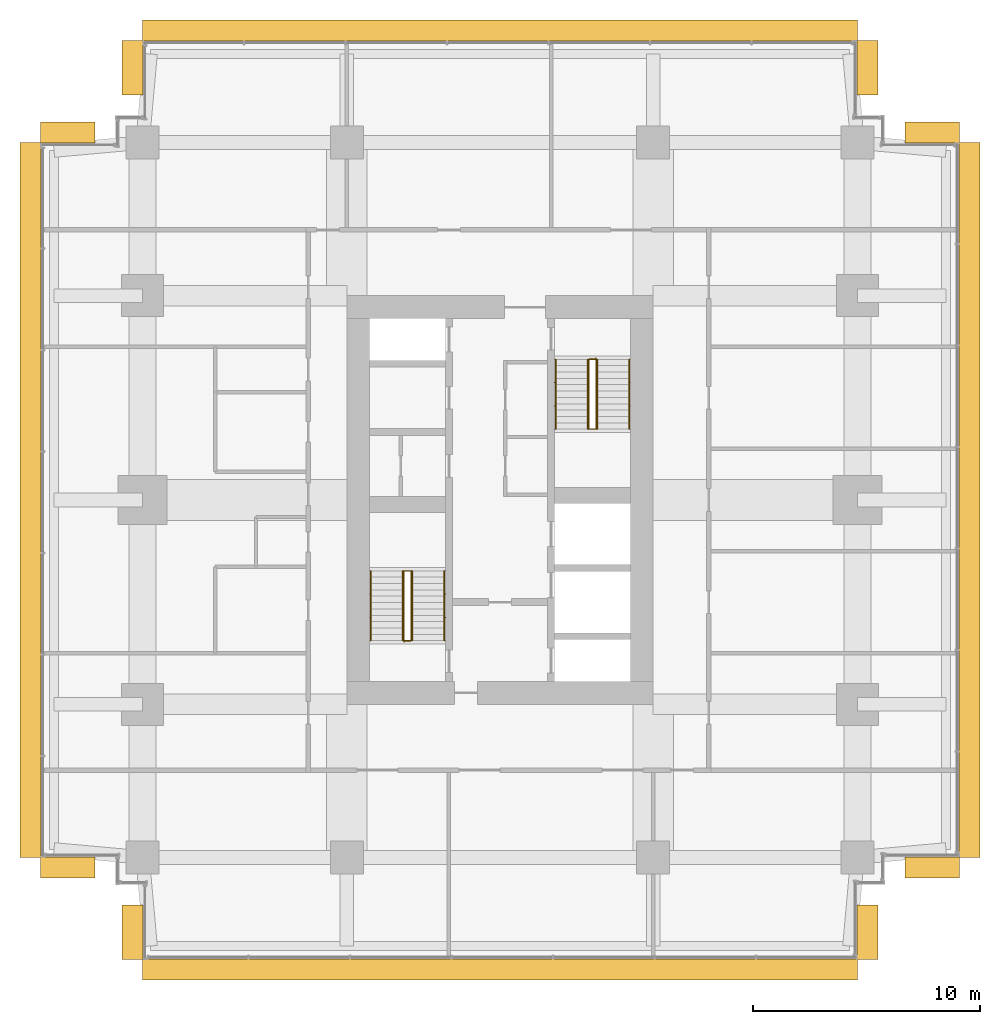
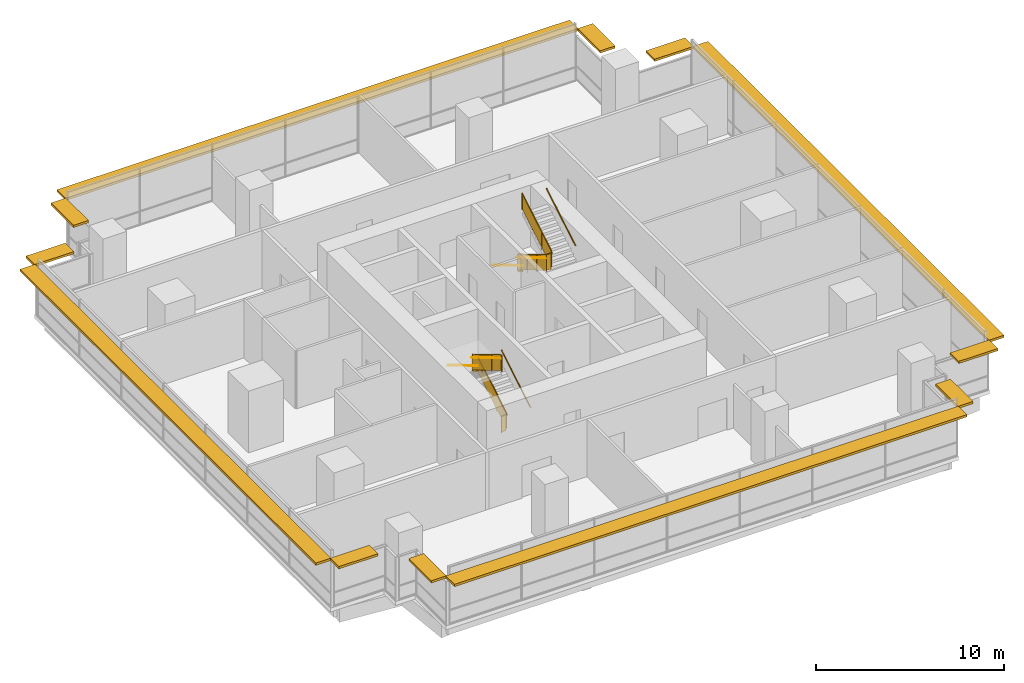
# One storey, part 14 of 14: 12 shading devices, 10 railings.
"""IFC4 building model written with IfcOpenShell, lengths in metres."""

from ifc_helpers import new_model, si_unit, direction, frame, origin, origin_2d, place, context, subcontext, project, spatial, polyline, rectangle, circle, outline, extrude, material, layer, layer_set, type_object, element, save


model = new_model("IFC4")

# Units and contexts
model_context = context("Model", 3, precision=1e-05, world=origin(), true_north=direction((0.0, 1.0)))
body_context = subcontext(model_context, "Body", "Model", "MODEL_VIEW")
ifc_project = project(units=[si_unit("LENGTHUNIT", "METRE"), si_unit("AREAUNIT", "SQUARE_METRE"), si_unit("VOLUMEUNIT", "CUBIC_METRE"), si_unit("PLANEANGLEUNIT", "RADIAN"), si_unit("MASSUNIT", "GRAM", prefix="KILO")], contexts=[model_context])

# Site, building, storey
site_placement = place(None, origin())
site = spatial("IfcSite", under=ifc_project, at=site_placement, CompositionType="ELEMENT")
building_placement = place(site_placement, origin())
building = spatial("IfcBuilding", under=site, at=building_placement, Name="Namib Vertical Campus", CompositionType="ELEMENT")
storey_placement = place(building_placement, frame((0.0, 0.0, 269.0)))
storey = spatial("IfcBuildingStorey", under=building, at=storey_placement, Name="L63", CompositionType="ELEMENT", Elevation=269.0)

# Railings
ifc_material_1 = material(Name="Steel handrail", Category="steel")
railing_type_1 = type_object("IfcRailingType", Name="Handrail 900", PredefinedType="HANDRAIL", material=ifc_material_1)
railing_1_placement = place(storey_placement, frame((17.800048828125, 14.050048828125, 0.166748046875)))
element("IfcRailing", 1, at=railing_1_placement, inside=storey, type_object=railing_type_1, Name="Handrail HR1 A-S1 L63 1", PredefinedType="HANDRAIL", context=body_context, shape_type="SweptSolid", body=[
    extrude(circle(Radius=0.02392578125, at=origin_2d()), frame((0.0, 0.0, 0.8759765625), z_axis=(0.0, 0.859290745958, 0.51148745235), x_axis=(-1.0, 0.0, 0.0)), (0.0, 0.0, 1.0), 3.584228515625),
    extrude(circle(Radius=0.008056640625, at=origin_2d()), frame((0.0, 0.0, 0.8759765625), z_axis=(1.0, 0.0, 0.0), x_axis=(0.0, 0.0, 1.0)), (0.0, 0.0, 1.0), 0.050048828125),
    extrude(circle(Radius=0.008056640625, at=origin_2d()), frame((0.0, 1.026611328125, 1.48681640625), z_axis=(1.0, 0.0, 0.0), x_axis=(0.0, 0.0, 1.0)), (0.0, 0.0, 1.0), 0.050048828125),
    extrude(circle(Radius=0.008056640625, at=origin_2d()), frame((0.0, 2.05322265625, 2.09814453125), z_axis=(1.0, 0.0, 0.0), x_axis=(0.0, 0.0, 1.0)), (0.0, 0.0, 1.0), 0.050048828125),
    extrude(circle(Radius=0.008056640625, at=origin_2d()), frame((0.0, 3.079833984375, 2.708984375), z_axis=(1.0, 0.0, 0.0), x_axis=(0.0, 0.0, 1.0)), (0.0, 0.0, 1.0), 0.050048828125),
])
railing_2_placement = place(storey_placement, frame((14.550048828125, 17.1298828125, 2.166748046875)))
element("IfcRailing", 2, at=railing_2_placement, inside=storey, type_object=railing_type_1, Name="Handrail HR1 A-S1 L63 2", PredefinedType="HANDRAIL", context=body_context, shape_type="SweptSolid", body=[
    extrude(circle(Radius=0.02392578125, at=origin_2d()), frame((0.0, 0.0, 0.8759765625), z_axis=(0.0, -0.859290745958, 0.51148745235), x_axis=(1.0, 0.0, 0.0)), (0.0, 0.0, 1.0), 3.584228515625),
    extrude(circle(Radius=0.008056640625, at=origin_2d()), frame((0.0, 0.0, 0.8759765625), z_axis=(-1.0, 0.0, 0.0), x_axis=(0.0, 0.0, 1.0)), (0.0, 0.0, 1.0), 0.050048828125),
    extrude(circle(Radius=0.008056640625, at=origin_2d()), frame((0.0, -1.026611328125, 1.48681640625), z_axis=(-1.0, 0.0, 0.0), x_axis=(0.0, 0.0, 1.0)), (0.0, 0.0, 1.0), 0.050048828125),
    extrude(circle(Radius=0.008056640625, at=origin_2d()), frame((0.0, -2.05322265625, 2.09814453125), z_axis=(-1.0, 0.0, 0.0), x_axis=(0.0, 0.0, 1.0)), (0.0, 0.0, 1.0), 0.050048828125),
    extrude(circle(Radius=0.008056640625, at=origin_2d()), frame((0.0, -3.079833984375, 2.708984375), z_axis=(-1.0, 0.0, 0.0), x_axis=(0.0, 0.0, 1.0)), (0.0, 0.0, 1.0), 0.050048828125),
])
railing_3_placement = place(storey_placement, frame((16.375, 14.050048828125, 0.166748046875)))
element("IfcRailing", 3, at=railing_3_placement, inside=storey, type_object=railing_type_1, Name="Handrail HR1 A-S1 L63 1 at the well", PredefinedType="HANDRAIL", context=body_context, shape_type="SweptSolid", body=[
    extrude(circle(Radius=0.02392578125, at=origin_2d()), frame((0.0, 0.0, 0.8759765625), z_axis=(0.0, 0.859290745958, 0.51148745235), x_axis=(-1.0, 0.0, 0.0)), (0.0, 0.0, 1.0), 3.584228515625),
    extrude(circle(Radius=0.008056640625, at=origin_2d()), frame((0.0, 0.0, 0.8759765625), z_axis=(-1.0, 0.0, 0.0), x_axis=(0.0, 0.0, 1.0)), (0.0, 0.0, 1.0), 0.0400390625),
    extrude(circle(Radius=0.008056640625, at=origin_2d()), frame((0.0, 1.026611328125, 1.48681640625), z_axis=(-1.0, 0.0, 0.0), x_axis=(0.0, 0.0, 1.0)), (0.0, 0.0, 1.0), 0.0400390625),
    extrude(circle(Radius=0.008056640625, at=origin_2d()), frame((0.0, 2.05322265625, 2.09814453125), z_axis=(-1.0, 0.0, 0.0), x_axis=(0.0, 0.0, 1.0)), (0.0, 0.0, 1.0), 0.0400390625),
    extrude(circle(Radius=0.008056640625, at=origin_2d()), frame((0.0, 3.079833984375, 2.708984375), z_axis=(-1.0, 0.0, 0.0), x_axis=(0.0, 0.0, 1.0)), (0.0, 0.0, 1.0), 0.0400390625),
])
railing_4_placement = place(storey_placement, frame((15.97509765625, 17.1298828125, 2.166748046875)))
element("IfcRailing", 4, at=railing_4_placement, inside=storey, type_object=railing_type_1, Name="Handrail HR1 A-S1 L63 2 at the well", PredefinedType="HANDRAIL", context=body_context, shape_type="SweptSolid", body=[
    extrude(circle(Radius=0.02392578125, at=origin_2d()), frame((0.0, 0.0, 0.8759765625), z_axis=(0.0, -0.859290745958, 0.51148745235), x_axis=(1.0, 0.0, 0.0)), (0.0, 0.0, 1.0), 3.584228515625),
    extrude(circle(Radius=0.008056640625, at=origin_2d()), frame((0.0, 0.0, 0.8759765625), z_axis=(1.0, 0.0, 0.0), x_axis=(0.0, 0.0, 1.0)), (0.0, 0.0, 1.0), 0.0400390625),
    extrude(circle(Radius=0.008056640625, at=origin_2d()), frame((0.0, -1.026611328125, 1.48681640625), z_axis=(1.0, 0.0, 0.0), x_axis=(0.0, 0.0, 1.0)), (0.0, 0.0, 1.0), 0.0400390625),
    extrude(circle(Radius=0.008056640625, at=origin_2d()), frame((0.0, -2.05322265625, 2.09814453125), z_axis=(1.0, 0.0, 0.0), x_axis=(0.0, 0.0, 1.0)), (0.0, 0.0, 1.0), 0.0400390625),
    extrude(circle(Radius=0.008056640625, at=origin_2d()), frame((0.0, -3.079833984375, 2.708984375), z_axis=(1.0, 0.0, 0.0), x_axis=(0.0, 0.0, 1.0)), (0.0, 0.0, 1.0), 0.0400390625),
])
railing_5_placement = place(storey_placement, frame((22.699951171875, 26.449951171875, 0.166748046875)))
element("IfcRailing", 5, at=railing_5_placement, inside=storey, type_object=railing_type_1, Name="Handrail HR1 A-S2 L63 1", PredefinedType="HANDRAIL", context=body_context, shape_type="SweptSolid", body=[
    extrude(circle(Radius=0.02392578125, at=origin_2d()), frame((0.0, 0.0, 0.8759765625), z_axis=(0.0, -0.859290745958, 0.51148745235), x_axis=(1.0, 0.0, 0.0)), (0.0, 0.0, 1.0), 3.584228515625),
    extrude(circle(Radius=0.008056640625, at=origin_2d()), frame((0.0, 0.0, 0.8759765625), z_axis=(-1.0, 0.0, 0.0), x_axis=(0.0, 0.0, 1.0)), (0.0, 0.0, 1.0), 0.050048828125),
    extrude(circle(Radius=0.008056640625, at=origin_2d()), frame((0.0, -1.026611328125, 1.48681640625), z_axis=(-1.0, 0.0, 0.0), x_axis=(0.0, 0.0, 1.0)), (0.0, 0.0, 1.0), 0.050048828125),
    extrude(circle(Radius=0.008056640625, at=origin_2d()), frame((0.0, -2.05322265625, 2.09814453125), z_axis=(-1.0, 0.0, 0.0), x_axis=(0.0, 0.0, 1.0)), (0.0, 0.0, 1.0), 0.050048828125),
    extrude(circle(Radius=0.008056640625, at=origin_2d()), frame((0.0, -3.079833984375, 2.708984375), z_axis=(-1.0, 0.0, 0.0), x_axis=(0.0, 0.0, 1.0)), (0.0, 0.0, 1.0), 0.050048828125),
])
railing_6_placement = place(storey_placement, frame((25.949951171875, 23.3701171875, 2.166748046875)))
element("IfcRailing", 6, at=railing_6_placement, inside=storey, type_object=railing_type_1, Name="Handrail HR1 A-S2 L63 2", PredefinedType="HANDRAIL", context=body_context, shape_type="SweptSolid", body=[
    extrude(circle(Radius=0.02392578125, at=origin_2d()), frame((0.0, 0.0, 0.8759765625), z_axis=(0.0, 0.859290745958, 0.51148745235), x_axis=(-1.0, 0.0, 0.0)), (0.0, 0.0, 1.0), 3.584228515625),
    extrude(circle(Radius=0.008056640625, at=origin_2d()), frame((0.0, 0.0, 0.8759765625), z_axis=(1.0, 0.0, 0.0), x_axis=(0.0, 0.0, 1.0)), (0.0, 0.0, 1.0), 0.050048828125),
    extrude(circle(Radius=0.008056640625, at=origin_2d()), frame((0.0, 1.026611328125, 1.48681640625), z_axis=(1.0, 0.0, 0.0), x_axis=(0.0, 0.0, 1.0)), (0.0, 0.0, 1.0), 0.050048828125),
    extrude(circle(Radius=0.008056640625, at=origin_2d()), frame((0.0, 2.05322265625, 2.09814453125), z_axis=(1.0, 0.0, 0.0), x_axis=(0.0, 0.0, 1.0)), (0.0, 0.0, 1.0), 0.050048828125),
    extrude(circle(Radius=0.008056640625, at=origin_2d()), frame((0.0, 3.079833984375, 2.708984375), z_axis=(1.0, 0.0, 0.0), x_axis=(0.0, 0.0, 1.0)), (0.0, 0.0, 1.0), 0.050048828125),
])
railing_7_placement = place(storey_placement, frame((24.125, 26.449951171875, 0.166748046875)))
element("IfcRailing", 7, at=railing_7_placement, inside=storey, type_object=railing_type_1, Name="Handrail HR1 A-S2 L63 1 at the well", PredefinedType="HANDRAIL", context=body_context, shape_type="SweptSolid", body=[
    extrude(circle(Radius=0.02392578125, at=origin_2d()), frame((0.0, 0.0, 0.8759765625), z_axis=(0.0, -0.859290745958, 0.51148745235), x_axis=(1.0, 0.0, 0.0)), (0.0, 0.0, 1.0), 3.584228515625),
    extrude(circle(Radius=0.008056640625, at=origin_2d()), frame((0.0, 0.0, 0.8759765625), z_axis=(1.0, 0.0, 0.0), x_axis=(0.0, 0.0, 1.0)), (0.0, 0.0, 1.0), 0.0400390625),
    extrude(circle(Radius=0.008056640625, at=origin_2d()), frame((0.0, -1.026611328125, 1.48681640625), z_axis=(1.0, 0.0, 0.0), x_axis=(0.0, 0.0, 1.0)), (0.0, 0.0, 1.0), 0.0400390625),
    extrude(circle(Radius=0.008056640625, at=origin_2d()), frame((0.0, -2.05322265625, 2.09814453125), z_axis=(1.0, 0.0, 0.0), x_axis=(0.0, 0.0, 1.0)), (0.0, 0.0, 1.0), 0.0400390625),
    extrude(circle(Radius=0.008056640625, at=origin_2d()), frame((0.0, -3.079833984375, 2.708984375), z_axis=(1.0, 0.0, 0.0), x_axis=(0.0, 0.0, 1.0)), (0.0, 0.0, 1.0), 0.0400390625),
])
railing_8_placement = place(storey_placement, frame((24.52490234375, 23.3701171875, 2.166748046875)))
element("IfcRailing", 8, at=railing_8_placement, inside=storey, type_object=railing_type_1, Name="Handrail HR1 A-S2 L63 2 at the well", PredefinedType="HANDRAIL", context=body_context, shape_type="SweptSolid", body=[
    extrude(circle(Radius=0.02392578125, at=origin_2d()), frame((0.0, 0.0, 0.8759765625), z_axis=(0.0, 0.859290745958, 0.51148745235), x_axis=(-1.0, 0.0, 0.0)), (0.0, 0.0, 1.0), 3.584228515625),
    extrude(circle(Radius=0.008056640625, at=origin_2d()), frame((0.0, 0.0, 0.8759765625), z_axis=(-1.0, 0.0, 0.0), x_axis=(0.0, 0.0, 1.0)), (0.0, 0.0, 1.0), 0.0400390625),
    extrude(circle(Radius=0.008056640625, at=origin_2d()), frame((0.0, 1.026611328125, 1.48681640625), z_axis=(-1.0, 0.0, 0.0), x_axis=(0.0, 0.0, 1.0)), (0.0, 0.0, 1.0), 0.0400390625),
    extrude(circle(Radius=0.008056640625, at=origin_2d()), frame((0.0, 2.05322265625, 2.09814453125), z_axis=(-1.0, 0.0, 0.0), x_axis=(0.0, 0.0, 1.0)), (0.0, 0.0, 1.0), 0.0400390625),
    extrude(circle(Radius=0.008056640625, at=origin_2d()), frame((0.0, 3.079833984375, 2.708984375), z_axis=(-1.0, 0.0, 0.0), x_axis=(0.0, 0.0, 1.0)), (0.0, 0.0, 1.0), 0.0400390625),
])
ifc_material_2 = material(Name="Steel balustrade", Category="steel")
railing_type_2 = type_object("IfcRailingType", Name="Stair guard 1100", PredefinedType="GUARDRAIL", material=ifc_material_2)
railing_9_placement = place(storey_placement, frame((16.02490234375, 14.050048828125, 0.0)))
element("IfcRailing", 9, at=railing_9_placement, inside=storey, type_object=railing_type_2, Name="Stair guard GR1 A-S1 L63", PredefinedType="GUARDRAIL", context=body_context, shape_type="SweptSolid", body=[
    extrude(circle(Radius=0.02392578125, at=origin_2d()), frame((0.0, 0.0, 1.076171875), z_axis=(1.0, 0.0, 0.0), x_axis=(0.0, 1.0, 0.0)), (0.0, 0.0, 1.0), 0.300048828125),
    extrude(outline(polyline([(0.02099609375, 0.050048828125), (0.279052734375, 0.050048828125), (0.279052734375, 1.052001953125), (0.02099609375, 1.052001953125), (0.02099609375, 0.050048828125)])), frame((0.0, 0.010009765625, 0.0), z_axis=(0.0, -1.0, 0.0), x_axis=(1.0, 0.0, 0.0)), (0.0, 0.0, 1.0), 0.02001953125),
    extrude(circle(Radius=0.02392578125, at=origin_2d()), frame((0.300048828125, 0.0, 1.076171875), z_axis=(0.0, 0.0, 1.0), x_axis=(1.0, 0.0, 0.0)), (0.0, 0.0, 1.0), 0.166748046875),
    extrude(circle(Radius=0.02392578125, at=origin_2d()), frame((0.300048828125, 0.0, 1.24267578125), z_axis=(0.0, 0.859290745958, 0.51148745235), x_axis=(-1.0, 0.0, 0.0)), (0.0, 0.0, 1.0), 3.584228515625),
    extrude(outline(polyline([(0.02099609375, 0.0625), (3.058837890625, 1.870849609375), (3.058837890625, 2.872802734375), (0.02099609375, 1.064453125), (0.02099609375, 0.0625)])), frame((0.2900390625, 0.0, 0.166748046875), z_axis=(1.0, 0.0, 0.0), x_axis=(0.0, 1.0, 0.0)), (0.0, 0.0, 1.0), 0.02001953125),
    extrude(circle(Radius=0.02392578125, at=origin_2d()), frame((0.300048828125, 3.079833984375, 3.076171875), z_axis=(-1.0, 0.0, 0.0), x_axis=(0.0, -1.0, 0.0)), (0.0, 0.0, 1.0), 0.300048828125),
    extrude(outline(polyline([(0.02099609375, 0.050048828125), (0.279052734375, 0.050048828125), (0.279052734375, 1.052001953125), (0.02099609375, 1.052001953125), (0.02099609375, 0.050048828125)])), frame((0.300048828125, 3.06982421875, 2.0), z_axis=(0.0, 1.0, 0.0), x_axis=(-1.0, 0.0, 0.0)), (0.0, 0.0, 1.0), 0.02001953125),
    extrude(circle(Radius=0.02392578125, at=origin_2d()), frame((0.0, 3.079833984375, 3.076171875), z_axis=(0.0, 0.0, 1.0), x_axis=(1.0, 0.0, 0.0)), (0.0, 0.0, 1.0), 0.166748046875),
    extrude(circle(Radius=0.02392578125, at=origin_2d()), frame((0.0, 3.079833984375, 3.24267578125), z_axis=(0.0, -0.859290745958, 0.51148745235), x_axis=(1.0, 0.0, 0.0)), (0.0, 0.0, 1.0), 3.584228515625),
    extrude(outline(polyline([(0.02099609375, 0.0625), (3.058837890625, 1.870849609375), (3.058837890625, 2.872802734375), (0.02099609375, 1.064453125), (0.02099609375, 0.0625)])), frame((0.010009765625, 3.079833984375, 2.166748046875), z_axis=(-1.0, 0.0, 0.0), x_axis=(0.0, -1.0, 0.0)), (0.0, 0.0, 1.0), 0.02001953125),
    extrude(circle(Radius=0.02392578125, at=origin_2d()), frame((0.0, 0.0, 5.076171875), z_axis=(0.0, -1.0, 0.0), x_axis=(1.0, 0.0, 0.0)), (0.0, 0.0, 1.0), 0.050048828125),
    extrude(outline(polyline([(0.02099609375, 0.050048828125), (0.029052734375, 0.050048828125), (0.029052734375, 1.052001953125), (0.02099609375, 1.052001953125), (0.02099609375, 0.050048828125)])), frame((0.010009765625, 0.0, 4.0), z_axis=(-1.0, 0.0, 0.0), x_axis=(0.0, -1.0, 0.0)), (0.0, 0.0, 1.0), 0.02001953125),
    extrude(circle(Radius=0.02099609375, at=origin_2d()), origin(), (0.0, 0.0, 1.0), 1.052001953125),
    extrude(circle(Radius=0.02099609375, at=origin_2d()), frame((0.300048828125, 0.0, 0.166748046875)), (0.0, 0.0, 1.0), 1.052001953125),
    extrude(circle(Radius=0.02099609375, at=origin_2d()), frame((0.300048828125, 1.026611328125, 0.666748046875)), (0.0, 0.0, 1.0), 1.1630859375),
    extrude(circle(Radius=0.02099609375, at=origin_2d()), frame((0.300048828125, 2.05322265625, 1.33349609375)), (0.0, 0.0, 1.0), 1.107421875),
    extrude(circle(Radius=0.02099609375, at=origin_2d()), frame((0.300048828125, 3.079833984375, 2.0)), (0.0, 0.0, 1.0), 1.052001953125),
    extrude(circle(Radius=0.02099609375, at=origin_2d()), frame((0.0, 3.079833984375, 2.166748046875)), (0.0, 0.0, 1.0), 1.052001953125),
    extrude(circle(Radius=0.02099609375, at=origin_2d()), frame((0.0, 2.05322265625, 2.666748046875)), (0.0, 0.0, 1.0), 1.1630859375),
    extrude(circle(Radius=0.02099609375, at=origin_2d()), frame((0.0, 1.026611328125, 3.33349609375)), (0.0, 0.0, 1.0), 1.107421875),
    extrude(circle(Radius=0.02099609375, at=origin_2d()), frame((0.0, 0.0, 4.0)), (0.0, 0.0, 1.0), 1.052001953125),
    extrude(circle(Radius=0.02099609375, at=origin_2d()), frame((0.0, -0.050048828125, 4.0)), (0.0, 0.0, 1.0), 1.052001953125),
])
railing_10_placement = place(storey_placement, frame((24.47509765625, 26.449951171875, 0.0)))
element("IfcRailing", 10, at=railing_10_placement, inside=storey, type_object=railing_type_2, Name="Stair guard GR1 A-S2 L63", PredefinedType="GUARDRAIL", context=body_context, shape_type="SweptSolid", body=[
    extrude(circle(Radius=0.02392578125, at=origin_2d()), frame((0.0, 0.0, 1.076171875), z_axis=(-1.0, 0.0, 0.0), x_axis=(0.0, -1.0, 0.0)), (0.0, 0.0, 1.0), 0.300048828125),
    extrude(outline(polyline([(0.02099609375, 0.050048828125), (0.279052734375, 0.050048828125), (0.279052734375, 1.052001953125), (0.02099609375, 1.052001953125), (0.02099609375, 0.050048828125)])), frame((0.0, -0.010009765625, 0.0), z_axis=(0.0, 1.0, 0.0), x_axis=(-1.0, 0.0, 0.0)), (0.0, 0.0, 1.0), 0.02001953125),
    extrude(circle(Radius=0.02392578125, at=origin_2d()), frame((-0.300048828125, 0.0, 1.076171875), z_axis=(0.0, 0.0, 1.0), x_axis=(1.0, 0.0, 0.0)), (0.0, 0.0, 1.0), 0.166748046875),
    extrude(circle(Radius=0.02392578125, at=origin_2d()), frame((-0.300048828125, 0.0, 1.24267578125), z_axis=(0.0, -0.859290745958, 0.51148745235), x_axis=(1.0, 0.0, 0.0)), (0.0, 0.0, 1.0), 3.584228515625),
    extrude(outline(polyline([(0.02099609375, 0.0625), (3.058837890625, 1.870849609375), (3.058837890625, 2.872802734375), (0.02099609375, 1.064453125), (0.02099609375, 0.0625)])), frame((-0.2900390625, 0.0, 0.166748046875), z_axis=(-1.0, 0.0, 0.0), x_axis=(0.0, -1.0, 0.0)), (0.0, 0.0, 1.0), 0.02001953125),
    extrude(circle(Radius=0.02392578125, at=origin_2d()), frame((-0.300048828125, -3.079833984375, 3.076171875), z_axis=(1.0, 0.0, 0.0), x_axis=(0.0, 1.0, 0.0)), (0.0, 0.0, 1.0), 0.300048828125),
    extrude(outline(polyline([(0.02099609375, 0.050048828125), (0.279052734375, 0.050048828125), (0.279052734375, 1.052001953125), (0.02099609375, 1.052001953125), (0.02099609375, 0.050048828125)])), frame((-0.300048828125, -3.06982421875, 2.0), z_axis=(0.0, -1.0, 0.0), x_axis=(1.0, 0.0, 0.0)), (0.0, 0.0, 1.0), 0.02001953125),
    extrude(circle(Radius=0.02392578125, at=origin_2d()), frame((0.0, -3.079833984375, 3.076171875), z_axis=(0.0, 0.0, 1.0), x_axis=(1.0, 0.0, 0.0)), (0.0, 0.0, 1.0), 0.166748046875),
    extrude(circle(Radius=0.02392578125, at=origin_2d()), frame((0.0, -3.079833984375, 3.24267578125), z_axis=(0.0, 0.859290745958, 0.51148745235), x_axis=(-1.0, 0.0, 0.0)), (0.0, 0.0, 1.0), 3.584228515625),
    extrude(outline(polyline([(0.02099609375, 0.0625), (3.058837890625, 1.870849609375), (3.058837890625, 2.872802734375), (0.02099609375, 1.064453125), (0.02099609375, 0.0625)])), frame((-0.010009765625, -3.079833984375, 2.166748046875), z_axis=(1.0, 0.0, 0.0), x_axis=(0.0, 1.0, 0.0)), (0.0, 0.0, 1.0), 0.02001953125),
    extrude(circle(Radius=0.02392578125, at=origin_2d()), frame((0.0, 0.0, 5.076171875), z_axis=(0.0, 1.0, 0.0), x_axis=(-1.0, 0.0, 0.0)), (0.0, 0.0, 1.0), 0.050048828125),
    extrude(outline(polyline([(0.02099609375, 0.050048828125), (0.029052734375, 0.050048828125), (0.029052734375, 1.052001953125), (0.02099609375, 1.052001953125), (0.02099609375, 0.050048828125)])), frame((-0.010009765625, 0.0, 4.0), z_axis=(1.0, 0.0, 0.0), x_axis=(0.0, 1.0, 0.0)), (0.0, 0.0, 1.0), 0.02001953125),
    extrude(circle(Radius=0.02099609375, at=origin_2d()), origin(), (0.0, 0.0, 1.0), 1.052001953125),
    extrude(circle(Radius=0.02099609375, at=origin_2d()), frame((-0.300048828125, 0.0, 0.166748046875)), (0.0, 0.0, 1.0), 1.052001953125),
    extrude(circle(Radius=0.02099609375, at=origin_2d()), frame((-0.300048828125, -1.026611328125, 0.666748046875)), (0.0, 0.0, 1.0), 1.1630859375),
    extrude(circle(Radius=0.02099609375, at=origin_2d()), frame((-0.300048828125, -2.05322265625, 1.33349609375)), (0.0, 0.0, 1.0), 1.107421875),
    extrude(circle(Radius=0.02099609375, at=origin_2d()), frame((-0.300048828125, -3.079833984375, 2.0)), (0.0, 0.0, 1.0), 1.052001953125),
    extrude(circle(Radius=0.02099609375, at=origin_2d()), frame((0.0, -3.079833984375, 2.166748046875)), (0.0, 0.0, 1.0), 1.052001953125),
    extrude(circle(Radius=0.02099609375, at=origin_2d()), frame((0.0, -2.05322265625, 2.666748046875)), (0.0, 0.0, 1.0), 1.1630859375),
    extrude(circle(Radius=0.02099609375, at=origin_2d()), frame((0.0, -1.026611328125, 3.33349609375)), (0.0, 0.0, 1.0), 1.107421875),
    extrude(circle(Radius=0.02099609375, at=origin_2d()), frame((0.0, 0.0, 4.0)), (0.0, 0.0, 1.0), 1.052001953125),
    extrude(circle(Radius=0.02099609375, at=origin_2d()), frame((0.0, 0.050048828125, 4.0)), (0.0, 0.0, 1.0), 1.052001953125),
])

# Shading devices
ifc_material_3 = material(Name="Concrete C40/50 precast", Category="concrete")
ifc_layer = layer(ifc_material_3, 0.14990234375)
ifc_layer_set = layer_set([ifc_layer], Name="Concrete C40/50 precast")
shading_device_type = type_object("IfcShadingDeviceType", Name="Sunshade hood 900", PredefinedType="SHUTTER", material=ifc_layer_set)
shading_device_1_placement = place(storey_placement, frame((20.25, -0.43994140625, 3.10009765625), z_axis=(0.0, 0.0, 1.0), x_axis=(1.0, 0.0, 0.0)))
element("IfcShadingDevice", 11, at=shading_device_1_placement, inside=storey, type_object=shading_device_type, Name="Sunshade SH1 L63 1", PredefinedType="SHUTTER", context=body_context, shape_type="SweptSolid", body=[
    extrude(rectangle(XDim=31.5, YDim=0.919921875, at=origin_2d()), origin(), (0.0, 0.0, 1.0), 0.14990234375),
])
for number, where, z_axis, x_axis, name in (
    (12, (36.43994140625, 1.199951171875, 3.10009765625), (0.0, 0.0, 1.0), (0.0, 1.0, 0.0), "Sunshade SH1 L63 2"),
    (13, (39.300048828125, 4.06005859375, 3.10009765625), (0.0, 0.0, 1.0), (1.0, 0.0, 0.0), "Sunshade SH1 L63 5"),
):
    element("IfcShadingDevice", number, at=place(storey_placement, frame(where, z_axis=z_axis, x_axis=x_axis)), inside=storey, type_object=shading_device_type, Name=name, PredefinedType="SHUTTER", context=body_context, shape_type="SweptSolid", body=[
        extrude(rectangle(XDim=2.39990234375, YDim=0.919921875, at=origin_2d()), origin(), (0.0, 0.0, 1.0), 0.14990234375),
    ])
shading_device_2_placement = place(storey_placement, frame((40.93994140625, 20.25, 3.10009765625), z_axis=(0.0, 0.0, 1.0), x_axis=(0.0, 1.0, 0.0)))
element("IfcShadingDevice", 14, at=shading_device_2_placement, inside=storey, type_object=shading_device_type, Name="Sunshade SH1 L63 6", PredefinedType="SHUTTER", context=body_context, shape_type="SweptSolid", body=[
    extrude(rectangle(XDim=31.5, YDim=0.919921875, at=origin_2d()), origin(), (0.0, 0.0, 1.0), 0.14990234375),
])
for number, where, z_axis, x_axis, name in (
    (15, (39.300048828125, 36.43994140625, 3.10009765625), (0.0, 0.0, 1.0), (-1.0, 0.0, 0.0), "Sunshade SH1 L63 7"),
    (16, (36.43994140625, 39.300048828125, 3.10009765625), (0.0, 0.0, 1.0), (0.0, 1.0, 0.0), "Sunshade SH1 L63 10"),
):
    element("IfcShadingDevice", number, at=place(storey_placement, frame(where, z_axis=z_axis, x_axis=x_axis)), inside=storey, type_object=shading_device_type, Name=name, PredefinedType="SHUTTER", context=body_context, shape_type="SweptSolid", body=[
        extrude(rectangle(XDim=2.39990234375, YDim=0.919921875, at=origin_2d()), origin(), (0.0, 0.0, 1.0), 0.14990234375),
    ])
shading_device_3_placement = place(storey_placement, frame((20.25, 40.93994140625, 3.10009765625), z_axis=(0.0, 0.0, 1.0), x_axis=(-1.0, 0.0, 0.0)))
element("IfcShadingDevice", 17, at=shading_device_3_placement, inside=storey, type_object=shading_device_type, Name="Sunshade SH1 L63 11", PredefinedType="SHUTTER", context=body_context, shape_type="SweptSolid", body=[
    extrude(rectangle(XDim=31.5, YDim=0.919921875, at=origin_2d()), origin(), (0.0, 0.0, 1.0), 0.14990234375),
])
for number, where, z_axis, x_axis, name in (
    (18, (4.06005859375, 39.300048828125, 3.10009765625), (0.0, 0.0, 1.0), (0.0, -1.0, 0.0), "Sunshade SH1 L63 12"),
    (19, (1.199951171875, 36.43994140625, 3.10009765625), (0.0, 0.0, 1.0), (-1.0, 0.0, 0.0), "Sunshade SH1 L63 15"),
):
    element("IfcShadingDevice", number, at=place(storey_placement, frame(where, z_axis=z_axis, x_axis=x_axis)), inside=storey, type_object=shading_device_type, Name=name, PredefinedType="SHUTTER", context=body_context, shape_type="SweptSolid", body=[
        extrude(rectangle(XDim=2.39990234375, YDim=0.919921875, at=origin_2d()), origin(), (0.0, 0.0, 1.0), 0.14990234375),
    ])
shading_device_4_placement = place(storey_placement, frame((-0.43994140625, 20.25, 3.10009765625), z_axis=(0.0, 0.0, 1.0), x_axis=(0.0, -1.0, 0.0)))
element("IfcShadingDevice", 20, at=shading_device_4_placement, inside=storey, type_object=shading_device_type, Name="Sunshade SH1 L63 16", PredefinedType="SHUTTER", context=body_context, shape_type="SweptSolid", body=[
    extrude(rectangle(XDim=31.5, YDim=0.919921875, at=origin_2d()), origin(), (0.0, 0.0, 1.0), 0.14990234375),
])
for number, where, z_axis, x_axis, name in (
    (21, (1.199951171875, 4.06005859375, 3.10009765625), (0.0, 0.0, 1.0), (1.0, 0.0, 0.0), "Sunshade SH1 L63 17"),
    (22, (4.06005859375, 1.199951171875, 3.10009765625), (0.0, 0.0, 1.0), (0.0, -1.0, 0.0), "Sunshade SH1 L63 20"),
):
    element("IfcShadingDevice", number, at=place(storey_placement, frame(where, z_axis=z_axis, x_axis=x_axis)), inside=storey, type_object=shading_device_type, Name=name, PredefinedType="SHUTTER", context=body_context, shape_type="SweptSolid", body=[
        extrude(rectangle(XDim=2.39990234375, YDim=0.919921875, at=origin_2d()), origin(), (0.0, 0.0, 1.0), 0.14990234375),
    ])

save(model, "model.ifc")
